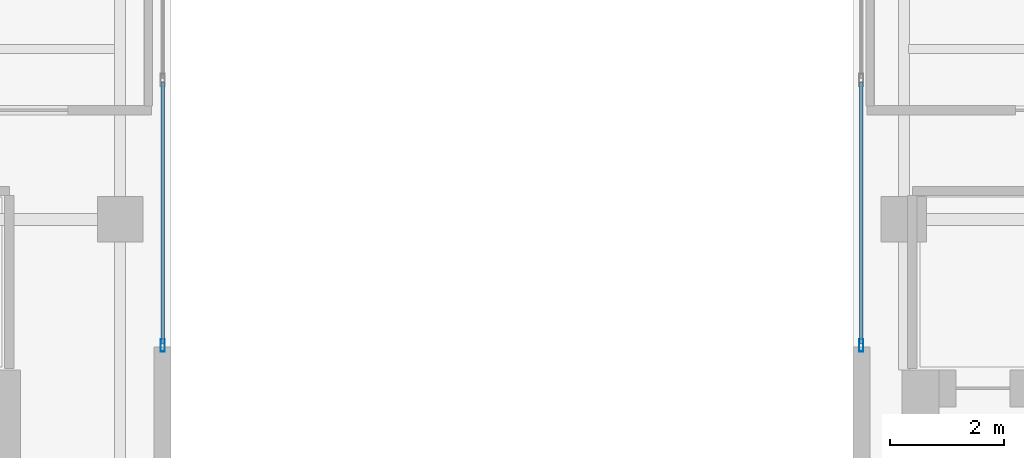
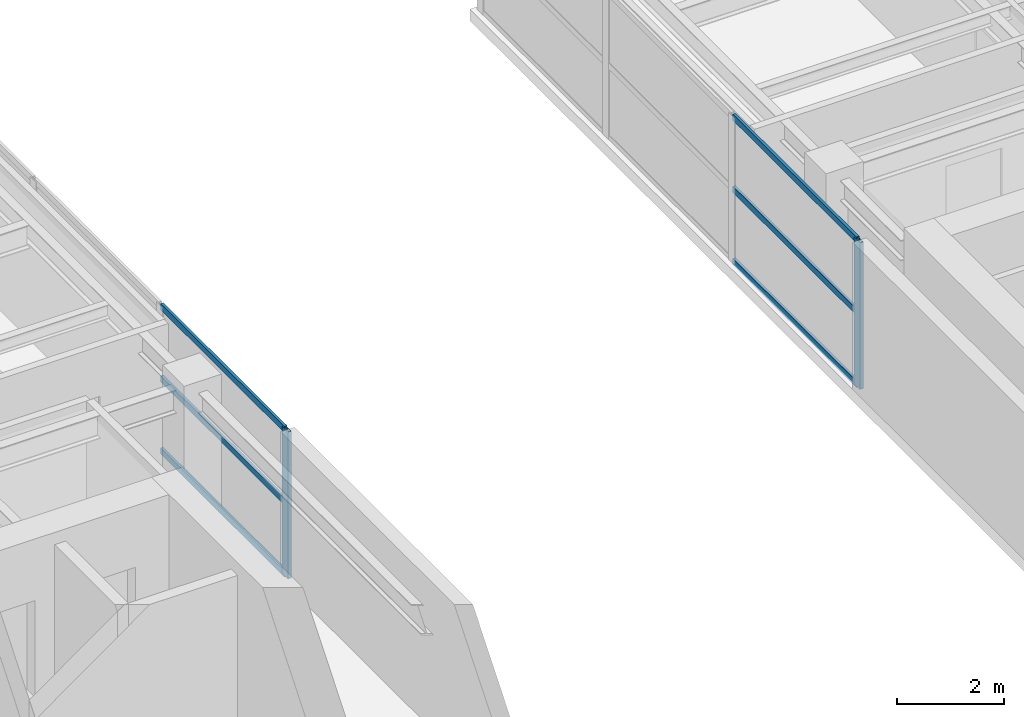
# One storey, part 9 of 22: 8 members, 2 elements without a shape of their own.
"""IFC4 building model written with IfcOpenShell, lengths in metres."""

from ifc_helpers import new_model, si_unit, direction, frame, origin, origin_2d, place, context, subcontext, project, spatial, hollow_rectangle, extrude, source, transform, mapped, material, layer, layer_set, material_profile, profile_set, type_object, element, aggregate, save


model = new_model("IFC4")

# Units and contexts
model_context = context("Model", 3, precision=1e-05, world=origin(), true_north=direction((0.0, 1.0)))
body_context = subcontext(model_context, "Body", "Model", "MODEL_VIEW")
ifc_project = project(units=[si_unit("LENGTHUNIT", "METRE"), si_unit("AREAUNIT", "SQUARE_METRE"), si_unit("VOLUMEUNIT", "CUBIC_METRE"), si_unit("PLANEANGLEUNIT", "RADIAN"), si_unit("MASSUNIT", "GRAM", prefix="KILO")], contexts=[model_context])

# Site, building, storey
site_placement = place(None, origin())
site = spatial("IfcSite", under=ifc_project, at=site_placement, CompositionType="ELEMENT")
building_placement = place(site_placement, origin())
building = spatial("IfcBuilding", under=site, at=building_placement, Name="Khoralis Quay Care Tower", CompositionType="ELEMENT")
storey_placement = place(building_placement, frame((0.0, 0.0, 191.699951171875)))
storey = spatial("IfcBuildingStorey", under=building, at=storey_placement, Name="L50", CompositionType="ELEMENT", Elevation=191.699951171875)

# Curtain wall, member
ifc_material = material(Name="Pale anodised aluminium", Category="aluminium")
ifc_layer = layer(ifc_material, 0.18994140625)
ifc_layer_set = layer_set([ifc_layer], Name="Pale anodised aluminium")
curtain_wall_type = type_object("IfcCurtainWallType", Name="CW-SYS-PORTAL", PredefinedType="NOTDEFINED", material=ifc_layer_set)
curtain_wall_1_placement = place(storey_placement, origin())
curtain_wall_1 = element("IfcCurtainWall", 1, at=curtain_wall_1_placement, inside=storey, type_object=curtain_wall_type, Name="L50 Unitised Curtain Wall CW-VP-L50-P1-N", PredefinedType="NOTDEFINED")
ifc_material_profile_1 = material_profile(ifc_material, hollow_rectangle(XDim=0.074951171875, YDim=0.219970703125, WallThickness=0.00390625, at=origin_2d()), Name="Pale anodised aluminium")
ifc_profile_set_1 = profile_set([ifc_material_profile_1], Name="Pale anodised aluminium")
member_type_1 = type_object("IfcMemberType", Name="CW-MUL-220", PredefinedType="MULLION", material=ifc_profile_set_1)
shared_shape_1 = source(origin(), body_context, "Body", "SweptSolid", [
    extrude(hollow_rectangle(XDim=0.074951171875, YDim=0.219970703125, WallThickness=0.00390625, at=origin_2d()), origin(), (0.0, 0.0, 1.0), 3.340087890625),
])
member_1_placement = place(storey_placement, frame((17.85009765625, 27.780029296875, 0.0), z_axis=(0.0, 0.0, 1.0), x_axis=(-1.0, 0.0, 0.0)))
member_1 = element("IfcMember", 2, at=member_1_placement, type_object=member_type_1, Name="CW4 mullion 1", PredefinedType="MULLION", context=body_context, shape_type="MappedRepresentation", body=[
    mapped(shared_shape_1, transform((0.0, 0.0, 0.0), scale=1.0)),
])

curtain_wall_2_placement = place(storey_placement, origin())
curtain_wall_2 = element("IfcCurtainWall", 3, at=curtain_wall_2_placement, inside=storey, type_object=curtain_wall_type, Name="L50 Unitised Curtain Wall CW-VP-L50-P2-N", PredefinedType="NOTDEFINED")
member_2_placement = place(storey_placement, frame((30.14990234375, 27.780029296875, 0.0), z_axis=(0.0, 0.0, 1.0), x_axis=(-1.0, 0.0, 0.0)))
member_2 = element("IfcMember", 4, at=member_2_placement, type_object=member_type_1, Name="CW4 mullion 1", PredefinedType="MULLION", context=body_context, shape_type="MappedRepresentation", body=[
    mapped(shared_shape_1, transform((0.0, 0.0, 0.0), scale=1.0)),
])

# Member
ifc_material_profile_2 = material_profile(ifc_material, hollow_rectangle(XDim=0.06005859375, YDim=0.139892578125, WallThickness=0.00390625, at=origin_2d()), Name="Pale anodised aluminium")
ifc_profile_set_2 = profile_set([ifc_material_profile_2], Name="Pale anodised aluminium")
member_type_2 = type_object("IfcMemberType", Name="CW-TRN-140", PredefinedType="USERDEFINED", material=ifc_profile_set_2)
shared_shape_2 = source(origin(), body_context, "Body", "SweptSolid", [
    extrude(hollow_rectangle(XDim=0.06005859375, YDim=0.139892578125, WallThickness=0.00390625, at=origin_2d()), origin(), (0.0, 0.0, 1.0), 4.60986328125),
])
member_3_placement = place(storey_placement, frame((17.85009765625, 27.81005859375, 0.030029296875), z_axis=(0.0, 1.0, 0.0), x_axis=(-1.0, 0.0, 0.0)))
member_3 = element("IfcMember", 5, at=member_3_placement, type_object=member_type_2, Name="CW4 transom 1.1", ObjectType="TRANSOM", PredefinedType="USERDEFINED", context=body_context, shape_type="MappedRepresentation", body=[
    mapped(shared_shape_2, transform((0.0, 0.0, 0.0), scale=1.0)),
])

member_4_placement = place(storey_placement, frame((17.85009765625, 27.81005859375, 1.670166015625), z_axis=(0.0, 1.0, 0.0), x_axis=(-1.0, 0.0, 0.0)))
member_4 = element("IfcMember", 6, at=member_4_placement, type_object=member_type_2, Name="CW4 transom 1.2", ObjectType="TRANSOM", PredefinedType="USERDEFINED", context=body_context, shape_type="MappedRepresentation", body=[
    mapped(shared_shape_2, transform((0.0, 0.0, 0.0), scale=1.0)),
])

member_5_placement = place(storey_placement, frame((17.85009765625, 27.81005859375, 3.31005859375), z_axis=(0.0, 1.0, 0.0), x_axis=(-1.0, 0.0, 0.0)))
member_5 = element("IfcMember", 7, at=member_5_placement, type_object=member_type_2, Name="CW4 transom 1.3", ObjectType="TRANSOM", PredefinedType="USERDEFINED", context=body_context, shape_type="MappedRepresentation", body=[
    mapped(shared_shape_2, transform((0.0, 0.0, 0.0), scale=1.0)),
])

aggregate(curtain_wall_1, [member_1, member_3, member_4, member_5])

member_6_placement = place(storey_placement, frame((30.14990234375, 27.81005859375, 0.030029296875), z_axis=(0.0, 1.0, 0.0), x_axis=(-1.0, 0.0, 0.0)))
member_6 = element("IfcMember", 8, at=member_6_placement, type_object=member_type_2, Name="CW4 transom 1.1", ObjectType="TRANSOM", PredefinedType="USERDEFINED", context=body_context, shape_type="MappedRepresentation", body=[
    mapped(shared_shape_2, transform((0.0, 0.0, 0.0), scale=1.0)),
])

member_7_placement = place(storey_placement, frame((30.14990234375, 27.81005859375, 1.670166015625), z_axis=(0.0, 1.0, 0.0), x_axis=(-1.0, 0.0, 0.0)))
member_7 = element("IfcMember", 9, at=member_7_placement, type_object=member_type_2, Name="CW4 transom 1.2", ObjectType="TRANSOM", PredefinedType="USERDEFINED", context=body_context, shape_type="MappedRepresentation", body=[
    mapped(shared_shape_2, transform((0.0, 0.0, 0.0), scale=1.0)),
])

member_8_placement = place(storey_placement, frame((30.14990234375, 27.81005859375, 3.31005859375), z_axis=(0.0, 1.0, 0.0), x_axis=(-1.0, 0.0, 0.0)))
member_8 = element("IfcMember", 10, at=member_8_placement, type_object=member_type_2, Name="CW4 transom 1.3", ObjectType="TRANSOM", PredefinedType="USERDEFINED", context=body_context, shape_type="MappedRepresentation", body=[
    mapped(shared_shape_2, transform((0.0, 0.0, 0.0), scale=1.0)),
])

aggregate(curtain_wall_2, [member_2, member_6, member_7, member_8])

save(model, "model.ifc")
